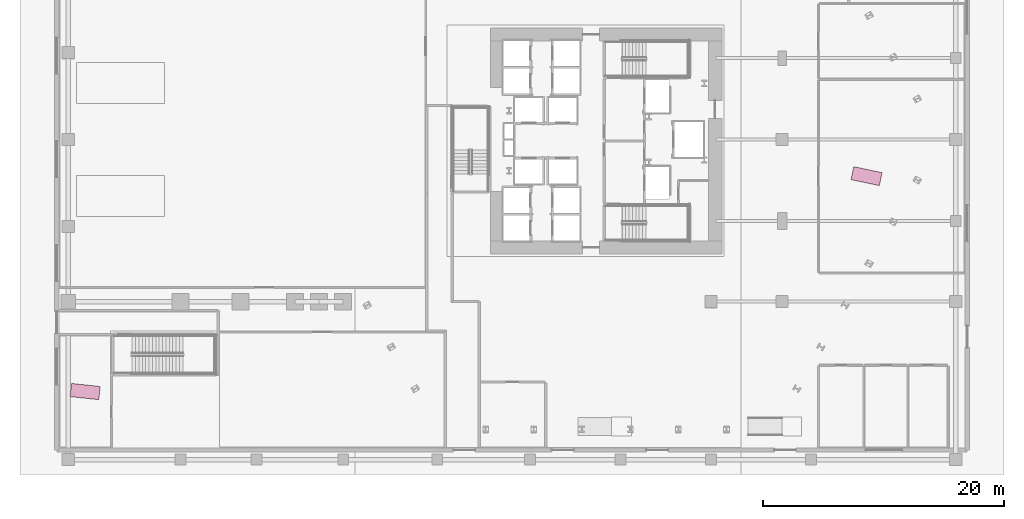
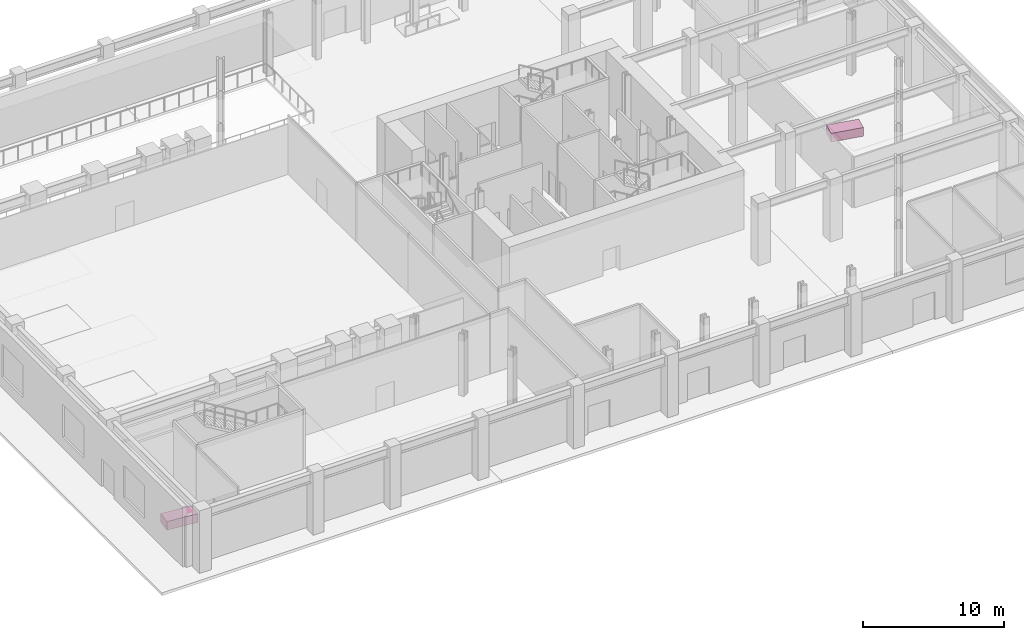
# One storey, part 18 of 18: 2 furniture elements.
"""IFC4 building model written with IfcOpenShell, lengths in metres."""

import ifcopenshell
import ifcopenshell.guid

model = None  # the IFC model being written
_history = None  # IfcOwnerHistory: only IFC2X3 demands one
_inside = {}  # id of a spatial element -> (the spatial element, [elements in it])
_under = {}  # id of a project, library or spatial element -> (it, [spatial elements below it])
_declared = {}  # id of a project -> (the project, [libraries it declares])
_typed = {}  # id of a type object -> (the type object, [elements of that type])
_made_of = {}  # id of a material, layer set ... -> (it, [elements and type objects made of it])


def new_model(schema):
    """Start an empty IFC model of exactly this schema.

    Asked for "IFC4X3", IfcOpenShell would pick the latest addendum, in which some entities
    have other attributes; the version numbers below select the first issue.
    IFC2X3 requires an IfcOwnerHistory on every rooted entity: one is made here for all.
    """
    global model, _history
    if schema == "IFC4X3":
        model = ifcopenshell.file(schema_version=(4, 3, 0, 0))
    else:
        model = ifcopenshell.file(schema=schema)
    _inside.clear()
    _under.clear()
    _declared.clear()
    _typed.clear()
    _made_of.clear()
    _history = None
    if model.schema == "IFC2X3":
        org = make("IfcOrganization", Name="unknown")
        user = make(
            "IfcPersonAndOrganization",
            ThePerson=make("IfcPerson", FamilyName="unknown"),
            TheOrganization=org,
        )
        app = make(
            "IfcApplication",
            ApplicationDeveloper=org,
            Version="unknown",
            ApplicationFullName="unknown",
            ApplicationIdentifier="unknown",
        )
        _history = make(
            "IfcOwnerHistory",
            OwningUser=user,
            OwningApplication=app,
            ChangeAction="ADDED",
            CreationDate=0,
        )
    return model


def make(cls, **values):
    """One entity of the class cls with the attributes given. An attribute that is None is left unset."""
    return model.create_entity(
        cls, **{name: value for name, value in values.items() if value is not None}
    )


def rooted(cls, **values):
    """An entity with a GlobalId (a new one), such as an element, a storey or a relation."""
    return make(cls, GlobalId=ifcopenshell.guid.new(), OwnerHistory=_history, **values)


def si_unit(unit_type, name, prefix=None):
    """IfcSIUnit, for example si_unit("LENGTHUNIT", "METRE", prefix="MILLI")."""
    return make("IfcSIUnit", UnitType=unit_type, Prefix=prefix, Name=name)


def assignment(units):
    """IfcUnitAssignment: the units of a project."""
    return None if units is None else make("IfcUnitAssignment", Units=units)


def point(xyz):
    """IfcCartesianPoint."""
    return None if xyz is None else make("IfcCartesianPoint", Coordinates=xyz)


def direction(xyz):
    """IfcDirection."""
    return None if xyz is None else make("IfcDirection", DirectionRatios=xyz)


def frame(location, z_axis=None, x_axis=None):
    """IfcAxis2Placement3D, a coordinate frame: its origin and axes. An axis left out is left unset."""
    return make(
        "IfcAxis2Placement3D",
        Location=point(location),
        Axis=direction(z_axis),
        RefDirection=direction(x_axis),
    )


def frame_2d(location, x_axis=None):
    """IfcAxis2Placement2D, a coordinate frame in the plane: its origin and x axis."""
    return make(
        "IfcAxis2Placement2D", Location=point(location), RefDirection=direction(x_axis)
    )


def origin():
    """The frame at (0, 0, 0) with its axes left unset."""
    return frame((0.0, 0.0, 0.0))


def origin_2d():
    """The frame at (0, 0) in the plane with its x axis left unset."""
    return frame_2d((0.0, 0.0))


def place(relative_to, where):
    """IfcLocalPlacement: puts the frame where relative to a parent placement (None: the world)."""
    return make(
        "IfcLocalPlacement", PlacementRelTo=relative_to, RelativePlacement=where
    )


def context(
    kind, dimensions, precision=None, world=None, true_north=None, identifier=None
):
    """IfcGeometricRepresentationContext, for example the 3D "Model" context."""
    return make(
        "IfcGeometricRepresentationContext",
        ContextIdentifier=identifier,
        ContextType=kind,
        CoordinateSpaceDimension=dimensions,
        Precision=precision,
        WorldCoordinateSystem=world,
        TrueNorth=true_north,
    )


def subcontext(parent, identifier, kind, view, scale=None):
    """IfcGeometricRepresentationSubContext, for example "Body" below "Model"."""
    return make(
        "IfcGeometricRepresentationSubContext",
        ContextIdentifier=identifier,
        ContextType=kind,
        ParentContext=parent,
        TargetScale=scale,
        TargetView=view,
    )


def project(units=None, contexts=None):
    """IfcProject with its units and contexts."""
    return rooted(
        "IfcProject",
        Name="project",
        RepresentationContexts=contexts,
        UnitsInContext=assignment(units),
    )


def spatial(cls, under=None, at=None, **own):
    """A site, building, storey or space (cls), placed at a placement, below another one or the project."""
    s = rooted(cls, ObjectPlacement=at, **own)
    if under is not None:
        _under.setdefault(under.id(), (under, []))[1].append(s)
    return s


def profile(cls, at=None, kind="AREA", **sizes):
    """A parametric profile (cls). Its sizes go by their IFC names, for example OverallWidth=200.0."""
    return make(cls, ProfileType=kind, Position=at, **sizes)


def rectangle(**sizes):
    """IfcRectangleProfileDef."""
    return profile("IfcRectangleProfileDef", **sizes)


def extrude(swept, where, along, depth):
    """IfcExtrudedAreaSolid: the profile swept, set in the frame where, extruded along a direction by depth."""
    return make(
        "IfcExtrudedAreaSolid",
        SweptArea=swept,
        Position=where,
        ExtrudedDirection=direction(along),
        Depth=depth,
    )


def shape(context_of_items, identifier, shape_type, items):
    """IfcShapeRepresentation: the items that make up one representation, for example the "Body"."""
    return make(
        "IfcShapeRepresentation",
        ContextOfItems=context_of_items,
        RepresentationIdentifier=identifier,
        RepresentationType=shape_type,
        Items=items,
    )


def material(Name=None, Category=None):
    """IfcMaterial."""
    return make("IfcMaterial", Name=Name, Category=Category)


def made_of(thing, what):
    """Note that an element or type object is made of a material, layer set ...; save() writes the relation."""
    if what is not None:
        _made_of.setdefault(what.id(), (what, []))[1].append(thing)
    return thing


def type_object(cls, material=None, **own):
    """A type object (cls), such as IfcWallType, which elements share."""
    return made_of(rooted(cls, **own), material)


def element(
    cls,
    number,
    at=None,
    inside=None,
    cuts=None,
    type_object=None,
    material=None,
    context=None,
    identifier="Body",
    shape_type=None,
    held_by="IfcProductDefinitionShape",
    body=None,
    shapes=None,
    **own,
):
    """One element of the class cls, such as IfcWall. Its Tag is "e" and its number.

    at: its placement. inside: the storey or other place that contains it. cuts: it is an
    opening in that element (IfcRelVoidsElement). A single representation is given by context,
    identifier, shape_type and body (its items); several are given by shapes. held_by: the class
    of the entity that holds the representations. save() writes the other relations.
    """
    e = rooted(cls, Tag="e%d" % number, ObjectPlacement=at, **own)
    if body is not None:
        shapes = [shape(context, identifier, shape_type, body)]
    if shapes is not None:
        e.Representation = make(held_by, Representations=shapes)
    if inside is not None:
        _inside.setdefault(inside.id(), (inside, []))[1].append(e)
    if cuts is not None:
        rooted(
            "IfcRelVoidsElement", RelatingBuildingElement=cuts, RelatedOpeningElement=e
        )
    if type_object is not None:
        _typed.setdefault(type_object.id(), (type_object, []))[1].append(e)
    return made_of(e, material)


def aggregate(whole, parts):
    """IfcRelAggregates: a whole, such as a stair, and the parts it consists of."""
    return rooted("IfcRelAggregates", RelatingObject=whole, RelatedObjects=parts)


def save(model, path):
    """Write the relations noted so far, then the file.

    IfcRelAggregates (storeys below a building ...), IfcRelContainedInSpatialStructure (elements
    in a storey), IfcRelDefinesByType, IfcRelAssociatesMaterial and IfcRelDeclares: one each for
    every whole, place, type object, material and project.
    """
    for whole, parts in _under.values():
        aggregate(whole, parts)
    for where, things in _inside.values():
        rooted(
            "IfcRelContainedInSpatialStructure",
            RelatedElements=things,
            RelatingStructure=where,
        )
    for kind, things in _typed.values():
        rooted("IfcRelDefinesByType", RelatedObjects=things, RelatingType=kind)
    for what, things in _made_of.values():
        rooted("IfcRelAssociatesMaterial", RelatedObjects=things, RelatingMaterial=what)
    for by, libraries in _declared.values():
        rooted("IfcRelDeclares", RelatingContext=by, RelatedDefinitions=libraries)
    model.write(path)


model = new_model("IFC4")

# Units and contexts
model_context = context("Model", 3, precision=1e-05, world=origin(), true_north=direction((0.0, 1.0)))
body_context = subcontext(model_context, "Body", "Model", "MODEL_VIEW")
ifc_project = project(units=[si_unit("LENGTHUNIT", "METRE"), si_unit("AREAUNIT", "SQUARE_METRE"), si_unit("VOLUMEUNIT", "CUBIC_METRE"), si_unit("PLANEANGLEUNIT", "RADIAN"), si_unit("MASSUNIT", "GRAM", prefix="KILO")], contexts=[model_context])

# Site, building, storey
site_placement = place(None, origin())
site = spatial("IfcSite", under=ifc_project, at=site_placement, CompositionType="ELEMENT")
building_placement = place(site_placement, origin())
building = spatial("IfcBuilding", under=site, at=building_placement, Name="Valkerne Bourse Tower", CompositionType="ELEMENT")
storey_placement = place(building_placement, origin())
storey = spatial("IfcBuildingStorey", under=building, at=storey_placement, Name="L00", CompositionType="ELEMENT", Elevation=0.0)

# Furniture
ifc_material = material(Name="Architectural White Oak Timber", Category="wood")
furniture_type = type_object("IfcFurnitureType", Name="FURN-DESK-2400", AssemblyPlace="NOTDEFINED", PredefinedType="DESK", material=ifc_material)
for number, where, z_axis, x_axis, name in (
    (1, (3.60009765625, 6.10009765625, 0.044921875), (0.0, 0.0, 1.0), (-0.994521895368, 0.104528463268, 0.0), "L00 Suite Worktable 06"),
    (2, (68.402099609375, 23.9619140625, 0.044921875), (0.0, 0.0, 1.0), (-0.978147600734, 0.207911690818, 0.0), "L00 Suite Worktable 12"),
):
    element("IfcFurniture", number, at=place(storey_placement, frame(where, z_axis=z_axis, x_axis=x_axis)), inside=storey, type_object=furniture_type, Name=name, PredefinedType="DESK", context=body_context, shape_type="SweptSolid", body=[
        extrude(rectangle(XDim=2.39990234375, YDim=1.10009765625, at=origin_2d()), origin(), (0.0, 0.0, 1.0), 0.75),
    ])

save(model, "model.ifc")
